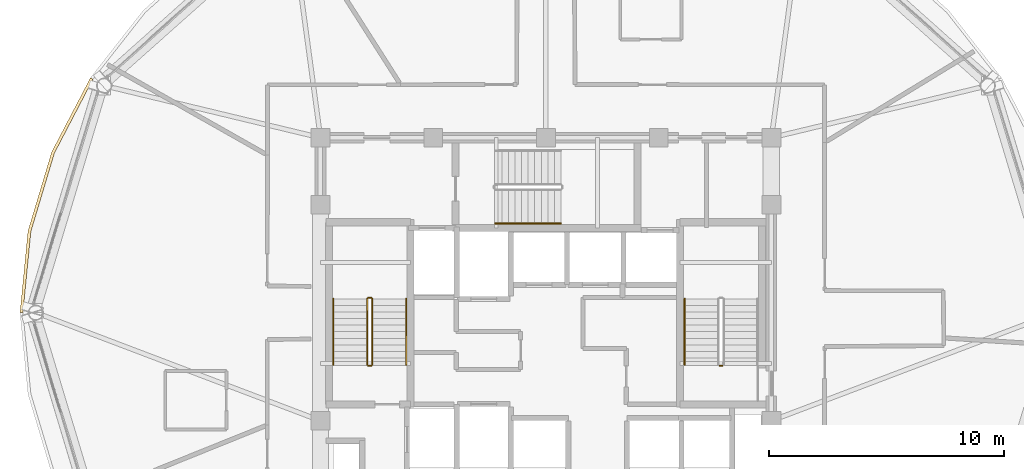
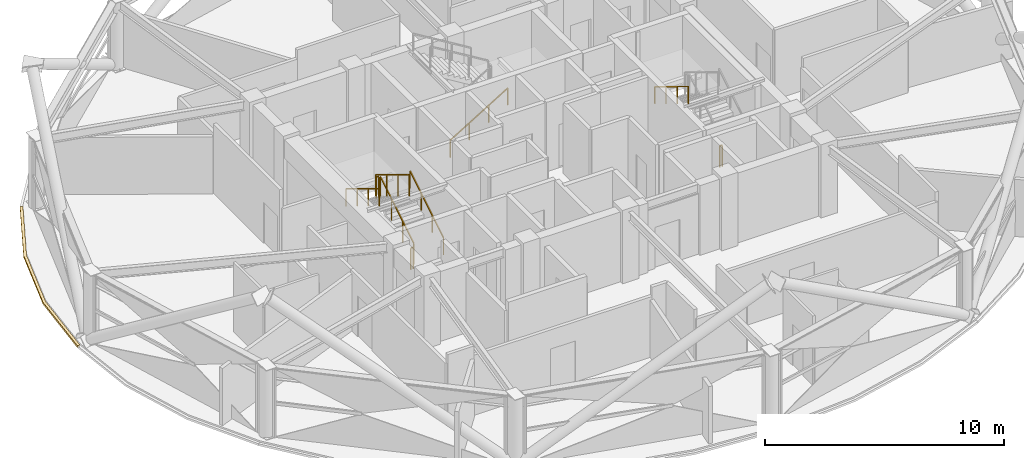
# One storey, part 26 of 28: 9 railings, 1 covering.
"""IFC4 building model written with IfcOpenShell, lengths in metres."""

from ifc_helpers import new_model, si_unit, direction, frame, origin, origin_2d, place, context, subcontext, project, spatial, polyline, rectangle, outline, extrude, material, layer, layer_set, type_object, element, save


model = new_model("IFC4")

# Units and contexts
model_context = context("Model", 3, precision=1e-05, world=origin(), true_north=direction((0.0, 1.0)))
body_context = subcontext(model_context, "Body", "Model", "MODEL_VIEW")
ifc_project = project(units=[si_unit("LENGTHUNIT", "METRE"), si_unit("AREAUNIT", "SQUARE_METRE"), si_unit("VOLUMEUNIT", "CUBIC_METRE"), si_unit("PLANEANGLEUNIT", "RADIAN"), si_unit("MASSUNIT", "GRAM", prefix="KILO")], contexts=[model_context])

# Site, building, storey
site_placement = place(None, origin())
site = spatial("IfcSite", under=ifc_project, at=site_placement, CompositionType="ELEMENT")
building_placement = place(site_placement, origin())
building = spatial("IfcBuilding", under=site, at=building_placement, Name="Vantalir Tower", CompositionType="ELEMENT")
storey_placement = place(building_placement, frame((0.0, 0.0, 242.39990234375)))
storey = spatial("IfcBuildingStorey", under=building, at=storey_placement, Name="L61", CompositionType="ELEMENT", Elevation=242.39990234375)

# Covering
ifc_material_1 = material(Name="Anodised champagne aluminium sill fascia", Category="aluminium")
ifc_layer = layer(ifc_material_1, 0.125)
ifc_layer_set = layer_set([ifc_layer], Name="Anodised champagne aluminium sill fascia")
covering_type = type_object("IfcCoveringType", Name="COV-SLAB-FASCIA-125", PredefinedType="CLADDING", material=ifc_layer_set)
covering_placement = place(storey_placement, frame((0.0, 0.0, -0.179931640625)))
element("IfcCovering", 1, at=covering_placement, inside=storey, type_object=covering_type, Name="L61 Perimeter Slab-Edge Sill Fascia 06", PredefinedType="CLADDING", context=body_context, shape_type="SweptSolid", body=[
    extrude(outline(polyline([(12.10693359375, 35.00390625), (10.45703125, 31.843017578125), (9.447021484375, 28.47412109375), (9.10693359375, 25.0), (9.23193359375, 25.0), (9.570068359375, 28.452880859375), (10.574951171875, 31.800048828125), (12.215087890625, 34.94091796875), (12.10693359375, 35.00390625)])), origin(), (0.0, 0.0, 1.0), 0.10498046875),
])

# Railings
ifc_material_2 = material(Name="Anodised aluminium and stainless steel guard", Category="steel")
railing_type_1 = type_object("IfcRailingType", Name="RAL-GUARD-1120", PredefinedType="GUARDRAIL", material=ifc_material_2)
railing_1_placement = place(storey_placement, frame((24.110107421875, 22.7900390625, 0.170654296875)))
element("IfcRailing", 2, at=railing_1_placement, inside=storey, type_object=railing_type_1, Name="L61 ST1 stair guard 1", PredefinedType="GUARDRAIL", context=body_context, shape_type="SweptSolid", body=[
    extrude(rectangle(XDim=0.048095703125, YDim=0.048095703125, at=origin_2d()), frame((0.0, 0.0, 1.09619140625), z_axis=(0.0, 0.854202870247, 0.519939858505), x_axis=(-1.0, 0.0, 0.0)), (0.0, 0.0, 1.0), 3.278076171875),
    extrude(rectangle(XDim=0.0419921875, YDim=0.0419921875, at=origin_2d()), origin(), (0.0, 0.0, 1.0), 1.072021484375),
    extrude(rectangle(XDim=0.0419921875, YDim=0.0419921875, at=origin_2d()), frame((0.0, 0.933349609375, 0.568115234375)), (0.0, 0.0, 1.0), 1.072021484375),
    extrude(rectangle(XDim=0.0419921875, YDim=0.0419921875, at=origin_2d()), frame((0.0, 1.86669921875, 1.13623046875)), (0.0, 0.0, 1.0), 1.072021484375),
    extrude(rectangle(XDim=0.0419921875, YDim=0.0419921875, at=origin_2d()), frame((0.0, 2.800048828125, 1.704345703125)), (0.0, 0.0, 1.0), 1.072021484375),
])
railing_2_placement = place(storey_placement, frame((24.06005859375, 25.639892578125, 1.875)))
element("IfcRailing", 3, at=railing_2_placement, inside=storey, type_object=railing_type_1, Name="L61 ST1 stair guard 2", PredefinedType="GUARDRAIL", context=body_context, shape_type="SweptSolid", body=[
    extrude(rectangle(XDim=0.048095703125, YDim=0.048095703125, at=origin_2d()), frame((0.0, 0.0, 1.09619140625), z_axis=(-1.0, 0.0, 0.0), x_axis=(0.0, -1.0, 0.0)), (0.0, 0.0, 1.0), 0.1201171875),
    extrude(rectangle(XDim=0.0419921875, YDim=0.0419921875, at=origin_2d()), origin(), (0.0, 0.0, 1.0), 1.072021484375),
    extrude(rectangle(XDim=0.0419921875, YDim=0.0419921875, at=origin_2d()), frame((-0.1201171875, 0.0, 0.0)), (0.0, 0.0, 1.0), 1.072021484375),
])
railing_3_placement = place(storey_placement, frame((23.889892578125, 25.590087890625, 2.045654296875)))
element("IfcRailing", 4, at=railing_3_placement, inside=storey, type_object=railing_type_1, Name="L61 ST1 stair guard 3", PredefinedType="GUARDRAIL", context=body_context, shape_type="SweptSolid", body=[
    extrude(rectangle(XDim=0.048095703125, YDim=0.048095703125, at=origin_2d()), frame((0.0, 0.0, 1.09619140625), z_axis=(0.0, -0.854202870247, 0.519939858505), x_axis=(1.0, 0.0, 0.0)), (0.0, 0.0, 1.0), 3.278076171875),
    extrude(rectangle(XDim=0.0419921875, YDim=0.0419921875, at=origin_2d()), origin(), (0.0, 0.0, 1.0), 1.072021484375),
    extrude(rectangle(XDim=0.0419921875, YDim=0.0419921875, at=origin_2d()), frame((0.0, -0.933349609375, 0.568115234375)), (0.0, 0.0, 1.0), 1.072021484375),
    extrude(rectangle(XDim=0.0419921875, YDim=0.0419921875, at=origin_2d()), frame((0.0, -1.86669921875, 1.13623046875)), (0.0, 0.0, 1.0), 1.072021484375),
    extrude(rectangle(XDim=0.0419921875, YDim=0.0419921875, at=origin_2d()), frame((0.0, -2.800048828125, 1.704345703125)), (0.0, 0.0, 1.0), 1.072021484375),
])
for number, where, name in (
    (5, (24.06005859375, 22.739990234375, 0.0), "L61 ST1 stair guard 4"),
    (6, (39.010009765625, 22.739990234375, 0.0), "L61 ST2 stair guard 4"),
):
    element("IfcRailing", number, at=place(storey_placement, frame(where)), inside=storey, type_object=railing_type_1, Name=name, PredefinedType="GUARDRAIL", context=body_context, shape_type="SweptSolid", body=[
        extrude(rectangle(XDim=0.048095703125, YDim=0.048095703125, at=origin_2d()), frame((0.0, 0.0, 1.09619140625), z_axis=(-1.0, 0.0, 0.0), x_axis=(0.0, -1.0, 0.0)), (0.0, 0.0, 1.0), 0.1201171875),
        extrude(rectangle(XDim=0.0419921875, YDim=0.0419921875, at=origin_2d()), origin(), (0.0, 0.0, 1.0), 1.072021484375),
        extrude(rectangle(XDim=0.0419921875, YDim=0.0419921875, at=origin_2d()), frame((-0.1201171875, 0.0, 0.0)), (0.0, 0.0, 1.0), 1.072021484375),
    ])
ifc_material_3 = material(Name="Brushed stainless steel tubular handrail", Category="steel")
railing_type_2 = type_object("IfcRailingType", Name="RAL-HANDRAIL-900", PredefinedType="HANDRAIL", material=ifc_material_3)
railing_4_placement = place(storey_placement, frame((25.550048828125, 22.7900390625, 0.170654296875)))
element("IfcRailing", 7, at=railing_4_placement, inside=storey, type_object=railing_type_2, Name="L61 ST1 stair handrail 1", PredefinedType="HANDRAIL", context=body_context, shape_type="SweptSolid", body=[
    extrude(rectangle(XDim=0.048095703125, YDim=0.048095703125, at=origin_2d()), frame((0.0, 0.0, 0.8759765625), z_axis=(0.0, 0.854202870247, 0.519939858505), x_axis=(-1.0, 0.0, 0.0)), (0.0, 0.0, 1.0), 3.278076171875),
    extrude(rectangle(XDim=0.0419921875, YDim=0.0419921875, at=origin_2d()), origin(), (0.0, 0.0, 1.0), 0.851806640625),
    extrude(rectangle(XDim=0.0419921875, YDim=0.0419921875, at=origin_2d()), frame((0.0, 0.933349609375, 0.568115234375)), (0.0, 0.0, 1.0), 0.851806640625),
    extrude(rectangle(XDim=0.0419921875, YDim=0.0419921875, at=origin_2d()), frame((0.0, 1.86669921875, 1.13623046875)), (0.0, 0.0, 1.0), 0.851806640625),
    extrude(rectangle(XDim=0.0419921875, YDim=0.0419921875, at=origin_2d()), frame((0.0, 2.800048828125, 1.704345703125)), (0.0, 0.0, 1.0), 0.851806640625),
])
for number, where, name in (
    (8, (22.449951171875, 25.590087890625, 2.045654296875), "L61 ST1 stair handrail 2"),
    (9, (37.39990234375, 25.590087890625, 2.045654296875), "L61 ST2 stair handrail 2"),
):
    element("IfcRailing", number, at=place(storey_placement, frame(where)), inside=storey, type_object=railing_type_2, Name=name, PredefinedType="HANDRAIL", context=body_context, shape_type="SweptSolid", body=[
        extrude(rectangle(XDim=0.048095703125, YDim=0.048095703125, at=origin_2d()), frame((0.0, 0.0, 0.8759765625), z_axis=(0.0, -0.854202870247, 0.519939858505), x_axis=(1.0, 0.0, 0.0)), (0.0, 0.0, 1.0), 3.278076171875),
        extrude(rectangle(XDim=0.0419921875, YDim=0.0419921875, at=origin_2d()), origin(), (0.0, 0.0, 1.0), 0.851806640625),
        extrude(rectangle(XDim=0.0419921875, YDim=0.0419921875, at=origin_2d()), frame((0.0, -0.933349609375, 0.568115234375)), (0.0, 0.0, 1.0), 0.851806640625),
        extrude(rectangle(XDim=0.0419921875, YDim=0.0419921875, at=origin_2d()), frame((0.0, -1.86669921875, 1.13623046875)), (0.0, 0.0, 1.0), 0.851806640625),
        extrude(rectangle(XDim=0.0419921875, YDim=0.0419921875, at=origin_2d()), frame((0.0, -2.800048828125, 1.704345703125)), (0.0, 0.0, 1.0), 0.851806640625),
    ])
railing_5_placement = place(storey_placement, frame((29.340087890625, 28.800048828125, 0.170654296875)))
element("IfcRailing", 10, at=railing_5_placement, inside=storey, type_object=railing_type_2, Name="L61 ST3 stair handrail 1", PredefinedType="HANDRAIL", context=body_context, shape_type="SweptSolid", body=[
    extrude(rectangle(XDim=0.048095703125, YDim=0.048095703125, at=origin_2d()), frame((0.0, 0.0, 0.8759765625), z_axis=(0.854182733786, 0.0, 0.519972939009), x_axis=(0.0, 1.0, 0.0)), (0.0, 0.0, 1.0), 3.27783203125),
    extrude(rectangle(XDim=0.0419921875, YDim=0.0419921875, at=origin_2d()), origin(), (0.0, 0.0, 1.0), 0.851806640625),
    extrude(rectangle(XDim=0.0419921875, YDim=0.0419921875, at=origin_2d()), frame((0.933349609375, 0.0, 0.568115234375)), (0.0, 0.0, 1.0), 0.851806640625),
    extrude(rectangle(XDim=0.0419921875, YDim=0.0419921875, at=origin_2d()), frame((1.866455078125, 0.0, 1.13623046875)), (0.0, 0.0, 1.0), 0.851806640625),
    extrude(rectangle(XDim=0.0419921875, YDim=0.0419921875, at=origin_2d()), frame((2.7998046875, 0.0, 1.704345703125)), (0.0, 0.0, 1.0), 0.851806640625),
])

save(model, "model.ifc")
